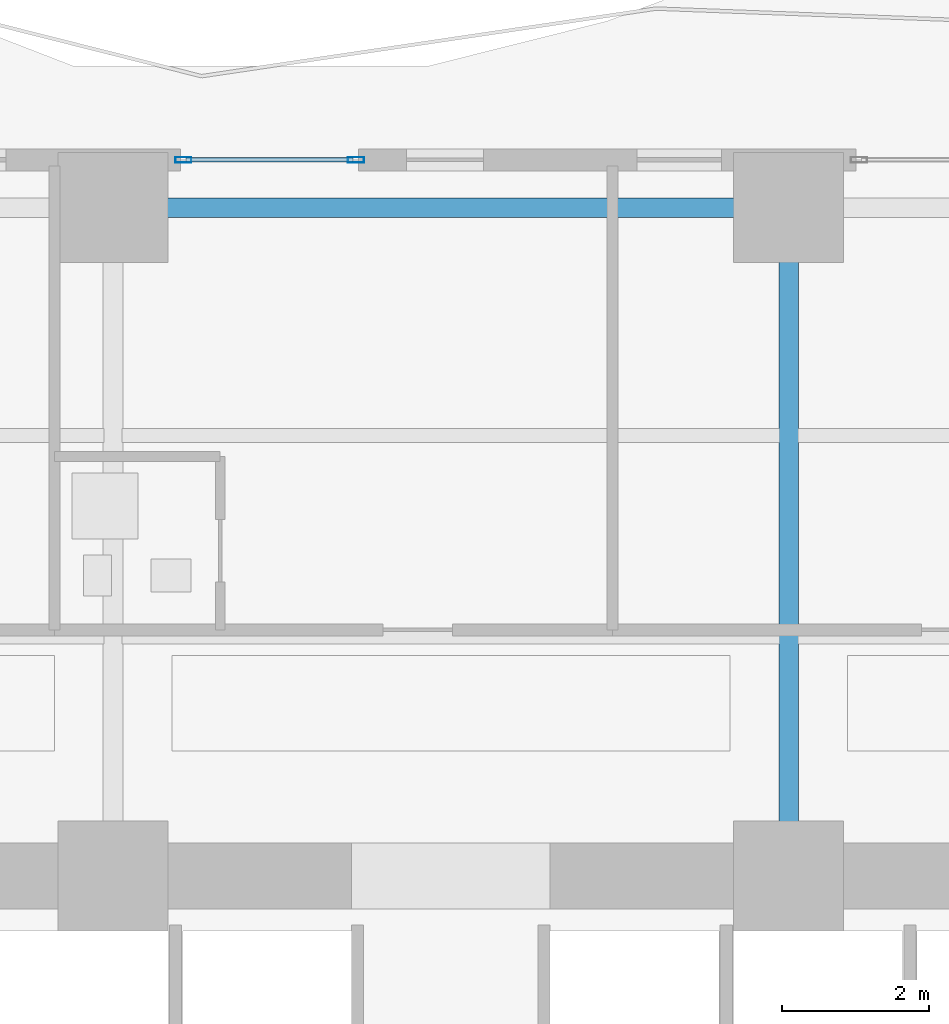
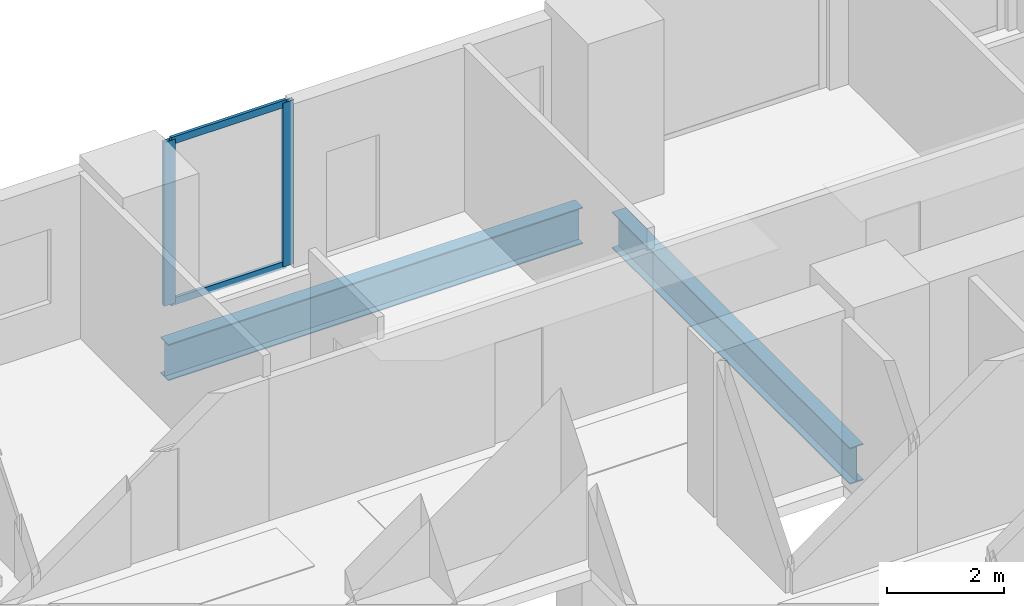
# One storey, part 15 of 28: 4 members, 2 beams, 1 element without a shape of its own.
"""IFC4 building model written with IfcOpenShell, lengths in metres."""

import ifcopenshell
import ifcopenshell.guid

model = None  # the IFC model being written
_history = None  # IfcOwnerHistory: only IFC2X3 demands one
_inside = {}  # id of a spatial element -> (the spatial element, [elements in it])
_under = {}  # id of a project, library or spatial element -> (it, [spatial elements below it])
_declared = {}  # id of a project -> (the project, [libraries it declares])
_typed = {}  # id of a type object -> (the type object, [elements of that type])
_made_of = {}  # id of a material, layer set ... -> (it, [elements and type objects made of it])


def new_model(schema):
    """Start an empty IFC model of exactly this schema.

    Asked for "IFC4X3", IfcOpenShell would pick the latest addendum, in which some entities
    have other attributes; the version numbers below select the first issue.
    IFC2X3 requires an IfcOwnerHistory on every rooted entity: one is made here for all.
    """
    global model, _history
    if schema == "IFC4X3":
        model = ifcopenshell.file(schema_version=(4, 3, 0, 0))
    else:
        model = ifcopenshell.file(schema=schema)
    _inside.clear()
    _under.clear()
    _declared.clear()
    _typed.clear()
    _made_of.clear()
    _history = None
    if model.schema == "IFC2X3":
        org = make("IfcOrganization", Name="unknown")
        user = make(
            "IfcPersonAndOrganization",
            ThePerson=make("IfcPerson", FamilyName="unknown"),
            TheOrganization=org,
        )
        app = make(
            "IfcApplication",
            ApplicationDeveloper=org,
            Version="unknown",
            ApplicationFullName="unknown",
            ApplicationIdentifier="unknown",
        )
        _history = make(
            "IfcOwnerHistory",
            OwningUser=user,
            OwningApplication=app,
            ChangeAction="ADDED",
            CreationDate=0,
        )
    return model


def make(cls, **values):
    """One entity of the class cls with the attributes given. An attribute that is None is left unset."""
    return model.create_entity(
        cls, **{name: value for name, value in values.items() if value is not None}
    )


def rooted(cls, **values):
    """An entity with a GlobalId (a new one), such as an element, a storey or a relation."""
    return make(cls, GlobalId=ifcopenshell.guid.new(), OwnerHistory=_history, **values)


def si_unit(unit_type, name, prefix=None):
    """IfcSIUnit, for example si_unit("LENGTHUNIT", "METRE", prefix="MILLI")."""
    return make("IfcSIUnit", UnitType=unit_type, Prefix=prefix, Name=name)


def assignment(units):
    """IfcUnitAssignment: the units of a project."""
    return None if units is None else make("IfcUnitAssignment", Units=units)


def point(xyz):
    """IfcCartesianPoint."""
    return None if xyz is None else make("IfcCartesianPoint", Coordinates=xyz)


def direction(xyz):
    """IfcDirection."""
    return None if xyz is None else make("IfcDirection", DirectionRatios=xyz)


def frame(location, z_axis=None, x_axis=None):
    """IfcAxis2Placement3D, a coordinate frame: its origin and axes. An axis left out is left unset."""
    return make(
        "IfcAxis2Placement3D",
        Location=point(location),
        Axis=direction(z_axis),
        RefDirection=direction(x_axis),
    )


def frame_2d(location, x_axis=None):
    """IfcAxis2Placement2D, a coordinate frame in the plane: its origin and x axis."""
    return make(
        "IfcAxis2Placement2D", Location=point(location), RefDirection=direction(x_axis)
    )


def origin():
    """The frame at (0, 0, 0) with its axes left unset."""
    return frame((0.0, 0.0, 0.0))


def origin_2d():
    """The frame at (0, 0) in the plane with its x axis left unset."""
    return frame_2d((0.0, 0.0))


def place(relative_to, where):
    """IfcLocalPlacement: puts the frame where relative to a parent placement (None: the world)."""
    return make(
        "IfcLocalPlacement", PlacementRelTo=relative_to, RelativePlacement=where
    )


def context(
    kind, dimensions, precision=None, world=None, true_north=None, identifier=None
):
    """IfcGeometricRepresentationContext, for example the 3D "Model" context."""
    return make(
        "IfcGeometricRepresentationContext",
        ContextIdentifier=identifier,
        ContextType=kind,
        CoordinateSpaceDimension=dimensions,
        Precision=precision,
        WorldCoordinateSystem=world,
        TrueNorth=true_north,
    )


def subcontext(parent, identifier, kind, view, scale=None):
    """IfcGeometricRepresentationSubContext, for example "Body" below "Model"."""
    return make(
        "IfcGeometricRepresentationSubContext",
        ContextIdentifier=identifier,
        ContextType=kind,
        ParentContext=parent,
        TargetScale=scale,
        TargetView=view,
    )


def project(units=None, contexts=None):
    """IfcProject with its units and contexts."""
    return rooted(
        "IfcProject",
        Name="project",
        RepresentationContexts=contexts,
        UnitsInContext=assignment(units),
    )


def spatial(cls, under=None, at=None, **own):
    """A site, building, storey or space (cls), placed at a placement, below another one or the project."""
    s = rooted(cls, ObjectPlacement=at, **own)
    if under is not None:
        _under.setdefault(under.id(), (under, []))[1].append(s)
    return s


def profile(cls, at=None, kind="AREA", **sizes):
    """A parametric profile (cls). Its sizes go by their IFC names, for example OverallWidth=200.0."""
    return make(cls, ProfileType=kind, Position=at, **sizes)


def hollow_rectangle(**sizes):
    """IfcRectangleHollowProfileDef."""
    return profile("IfcRectangleHollowProfileDef", **sizes)


def i_section(**sizes):
    """IfcIShapeProfileDef."""
    return profile("IfcIShapeProfileDef", **sizes)


def extrude(swept, where, along, depth):
    """IfcExtrudedAreaSolid: the profile swept, set in the frame where, extruded along a direction by depth."""
    return make(
        "IfcExtrudedAreaSolid",
        SweptArea=swept,
        Position=where,
        ExtrudedDirection=direction(along),
        Depth=depth,
    )


def shape(context_of_items, identifier, shape_type, items):
    """IfcShapeRepresentation: the items that make up one representation, for example the "Body"."""
    return make(
        "IfcShapeRepresentation",
        ContextOfItems=context_of_items,
        RepresentationIdentifier=identifier,
        RepresentationType=shape_type,
        Items=items,
    )


def material(Name=None, Category=None):
    """IfcMaterial."""
    return make("IfcMaterial", Name=Name, Category=Category)


def layer(
    of_material, thickness, ventilated=None, Name=None, Category=None, Priority=None
):
    """IfcMaterialLayer: one layer of a wall or slab, of a material (None: an air gap)."""
    return make(
        "IfcMaterialLayer",
        Material=of_material,
        LayerThickness=thickness,
        IsVentilated=ventilated,
        Name=Name,
        Category=Category,
        Priority=Priority,
    )


def layer_set(layers, Name=None):
    """IfcMaterialLayerSet."""
    return make("IfcMaterialLayerSet", MaterialLayers=layers, LayerSetName=Name)


def material_profile(
    of_material, cross_section, Name=None, Category=None, Priority=None
):
    """IfcMaterialProfile: a cross section and its material."""
    return make(
        "IfcMaterialProfile",
        Name=Name,
        Material=of_material,
        Profile=cross_section,
        Priority=Priority,
        Category=Category,
    )


def profile_set(profiles, Name=None, composite=None):
    """IfcMaterialProfileSet."""
    return make(
        "IfcMaterialProfileSet",
        Name=Name,
        MaterialProfiles=profiles,
        CompositeProfile=composite,
    )


def made_of(thing, what):
    """Note that an element or type object is made of a material, layer set ...; save() writes the relation."""
    if what is not None:
        _made_of.setdefault(what.id(), (what, []))[1].append(thing)
    return thing


def type_object(cls, material=None, **own):
    """A type object (cls), such as IfcWallType, which elements share."""
    return made_of(rooted(cls, **own), material)


def element(
    cls,
    number,
    at=None,
    inside=None,
    cuts=None,
    type_object=None,
    material=None,
    context=None,
    identifier="Body",
    shape_type=None,
    held_by="IfcProductDefinitionShape",
    body=None,
    shapes=None,
    **own,
):
    """One element of the class cls, such as IfcWall. Its Tag is "e" and its number.

    at: its placement. inside: the storey or other place that contains it. cuts: it is an
    opening in that element (IfcRelVoidsElement). A single representation is given by context,
    identifier, shape_type and body (its items); several are given by shapes. held_by: the class
    of the entity that holds the representations. save() writes the other relations.
    """
    e = rooted(cls, Tag="e%d" % number, ObjectPlacement=at, **own)
    if body is not None:
        shapes = [shape(context, identifier, shape_type, body)]
    if shapes is not None:
        e.Representation = make(held_by, Representations=shapes)
    if inside is not None:
        _inside.setdefault(inside.id(), (inside, []))[1].append(e)
    if cuts is not None:
        rooted(
            "IfcRelVoidsElement", RelatingBuildingElement=cuts, RelatedOpeningElement=e
        )
    if type_object is not None:
        _typed.setdefault(type_object.id(), (type_object, []))[1].append(e)
    return made_of(e, material)


def aggregate(whole, parts):
    """IfcRelAggregates: a whole, such as a stair, and the parts it consists of."""
    return rooted("IfcRelAggregates", RelatingObject=whole, RelatedObjects=parts)


def save(model, path):
    """Write the relations noted so far, then the file.

    IfcRelAggregates (storeys below a building ...), IfcRelContainedInSpatialStructure (elements
    in a storey), IfcRelDefinesByType, IfcRelAssociatesMaterial and IfcRelDeclares: one each for
    every whole, place, type object, material and project.
    """
    for whole, parts in _under.values():
        aggregate(whole, parts)
    for where, things in _inside.values():
        rooted(
            "IfcRelContainedInSpatialStructure",
            RelatedElements=things,
            RelatingStructure=where,
        )
    for kind, things in _typed.values():
        rooted("IfcRelDefinesByType", RelatedObjects=things, RelatingType=kind)
    for what, things in _made_of.values():
        rooted("IfcRelAssociatesMaterial", RelatedObjects=things, RelatingMaterial=what)
    for by, libraries in _declared.values():
        rooted("IfcRelDeclares", RelatingContext=by, RelatedDefinitions=libraries)
    model.write(path)


model = new_model("IFC4")

# Units and contexts
model_context = context("Model", 3, precision=1e-05, world=origin(), true_north=direction((0.0, 1.0)))
body_context = subcontext(model_context, "Body", "Model", "MODEL_VIEW")
ifc_project = project(units=[si_unit("LENGTHUNIT", "METRE"), si_unit("AREAUNIT", "SQUARE_METRE"), si_unit("VOLUMEUNIT", "CUBIC_METRE"), si_unit("PLANEANGLEUNIT", "RADIAN"), si_unit("MASSUNIT", "GRAM", prefix="KILO")], contexts=[model_context])

# Site, building, storey
site_placement = place(None, origin())
site = spatial("IfcSite", under=ifc_project, at=site_placement, CompositionType="ELEMENT")
building_placement = place(site_placement, origin())
building = spatial("IfcBuilding", under=site, at=building_placement, Name="Zuhayl Quay Hotel", CompositionType="ELEMENT")
storey_placement = place(building_placement, frame((0.0, 0.0, 56.800048828125)))
storey = spatial("IfcBuildingStorey", under=building, at=storey_placement, Name="L13", CompositionType="ELEMENT", Elevation=56.800048828125)

# Beams
ifc_material_1 = material(Name="Steel ASTM A992 Grade 50", Category="steel")
ifc_material_profile_1 = material_profile(ifc_material_1, i_section(OverallWidth=0.26708984375, OverallDepth=0.761962890625, WebThickness=0.014404296875, FlangeThickness=0.021484375, at=origin_2d()), Name="W30X116")
ifc_profile_set_1 = profile_set([ifc_material_profile_1], Name="Steel ASTM A992 Grade 50")
beam_type = type_object("IfcBeamType", Name="BM_B1_W30X116", PredefinedType="BEAM", material=ifc_profile_set_1)
beam_1_placement = place(storey_placement, frame((4.10009765625, 22.449951171875, -0.60107421875), z_axis=(-1.0, 0.0, 0.0), x_axis=(0.0, -1.0, 0.0)))
element("IfcBeam", 1, at=beam_1_placement, inside=storey, type_object=beam_type, Name="L13 Floor Beam RG_L13_08", PredefinedType="BEAM", context=body_context, shape_type="SweptSolid", body=[
    extrude(i_section(OverallWidth=0.26708984375, OverallDepth=0.761962890625, WebThickness=0.014404296875, FlangeThickness=0.021484375, at=origin_2d()), origin(), (0.0, 0.0, 1.0), 8.2001953125),
])
beam_2_placement = place(storey_placement, frame((4.60009765625, 13.800048828125, -0.60107421875), z_axis=(0.0, 1.0, 0.0), x_axis=(-1.0, 0.0, 0.0)))
element("IfcBeam", 2, at=beam_2_placement, inside=storey, type_object=beam_type, Name="L13 Floor Beam FG_N_L13_3", PredefinedType="BEAM", context=body_context, shape_type="SweptSolid", body=[
    extrude(i_section(OverallWidth=0.26708984375, OverallDepth=0.761962890625, WebThickness=0.014404296875, FlangeThickness=0.021484375, at=origin_2d()), origin(), (0.0, 0.0, 1.0), 8.14990234375),
])

# Curtain wall, members
ifc_material_2 = material(Name="Anodised Aluminium 6063-T6", Category="aluminium")
ifc_layer = layer(ifc_material_2, 0.18994140625, Name="Anodised Aluminium 6063-T6", Category="aluminium")
ifc_layer_set = layer_set([ifc_layer], Name="Anodised Aluminium 6063-T6")
curtain_wall_type = type_object("IfcCurtainWallType", Name="CW_SYS_Z1", PredefinedType="USERDEFINED", material=ifc_layer_set)
curtain_wall_placement = place(storey_placement, origin())
curtain_wall = element("IfcCurtainWall", 3, at=curtain_wall_placement, inside=storey, type_object=curtain_wall_type, Name="L13 Curtain Wall ENV_L13_N_CW2", ObjectType="UNITISED CURTAIN WALL", PredefinedType="USERDEFINED")
ifc_material_3 = material(Name="Black-anodised aluminium 6063-T6", Category="aluminium")
ifc_material_profile_2 = material_profile(ifc_material_3, hollow_rectangle(XDim=0.074951171875, YDim=0.219970703125, WallThickness=0.00390625, at=origin_2d()), Name="ALU220X75")
ifc_profile_set_2 = profile_set([ifc_material_profile_2], Name="Black-anodised aluminium 6063-T6")
member_type_1 = type_object("IfcMemberType", Name="MB_CW_MUL_220", PredefinedType="MULLION", material=ifc_profile_set_2)
member_1_placement = place(storey_placement, frame((-3.642578125, 23.10009765625, 0.0), z_axis=(0.0, 0.0, 1.0), x_axis=(0.0, 1.0, 0.0)))
member_1 = element("IfcMember", 4, at=member_1_placement, type_object=member_type_1, Name="CW-Z1 mullion 1", PredefinedType="MULLION", context=body_context, shape_type="SweptSolid", body=[
    extrude(hollow_rectangle(XDim=0.074951171875, YDim=0.219970703125, WallThickness=0.00390625, at=origin_2d()), origin(), (0.0, 0.0, 1.0), 3.429931640625),
])
member_2_placement = place(storey_placement, frame((-1.29248046875, 23.10009765625, 0.0), z_axis=(0.0, 0.0, 1.0), x_axis=(0.0, 1.0, 0.0)))
member_2 = element("IfcMember", 5, at=member_2_placement, type_object=member_type_1, Name="CW-Z1 mullion 2", PredefinedType="MULLION", context=body_context, shape_type="SweptSolid", body=[
    extrude(hollow_rectangle(XDim=0.074951171875, YDim=0.219970703125, WallThickness=0.00390625, at=origin_2d()), origin(), (0.0, 0.0, 1.0), 3.429931640625),
])
ifc_material_profile_3 = material_profile(ifc_material_3, hollow_rectangle(XDim=0.06005859375, YDim=0.14990234375, WallThickness=0.00341796875, at=origin_2d()), Name="ALU150X60")
ifc_profile_set_3 = profile_set([ifc_material_profile_3], Name="Black-anodised aluminium 6063-T6")
member_type_2 = type_object("IfcMemberType", Name="MB_CW_TRN_150", PredefinedType="USERDEFINED", material=ifc_profile_set_3)
member_3_placement = place(storey_placement, frame((-3.60498046875, 23.10009765625, 0.030029296875), z_axis=(1.0, 0.0, 0.0), x_axis=(0.0, 1.0, 0.0)))
member_3 = element("IfcMember", 6, at=member_3_placement, type_object=member_type_2, Name="CW-Z1 transom 1.1", ObjectType="TRANSOM", PredefinedType="USERDEFINED", context=body_context, shape_type="SweptSolid", body=[
    extrude(hollow_rectangle(XDim=0.06005859375, YDim=0.14990234375, WallThickness=0.00341796875, at=origin_2d()), origin(), (0.0, 0.0, 1.0), 2.27490234375),
])
member_4_placement = place(storey_placement, frame((-3.60498046875, 23.10009765625, 3.39990234375), z_axis=(1.0, 0.0, 0.0), x_axis=(0.0, 1.0, 0.0)))
member_4 = element("IfcMember", 7, at=member_4_placement, type_object=member_type_2, Name="CW-Z1 transom 1.2", ObjectType="TRANSOM", PredefinedType="USERDEFINED", context=body_context, shape_type="SweptSolid", body=[
    extrude(hollow_rectangle(XDim=0.06005859375, YDim=0.14990234375, WallThickness=0.00341796875, at=origin_2d()), origin(), (0.0, 0.0, 1.0), 2.27490234375),
])
aggregate(curtain_wall, [member_1, member_2, member_3, member_4])

save(model, "model.ifc")
